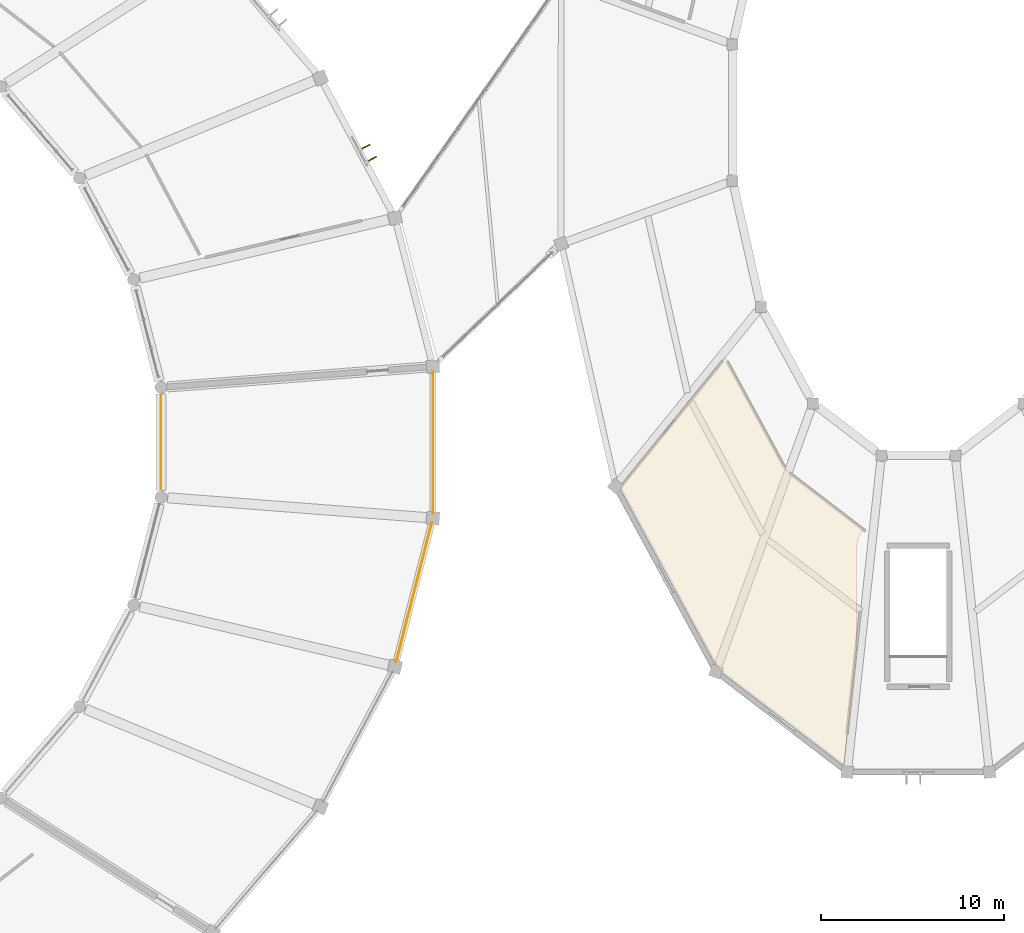
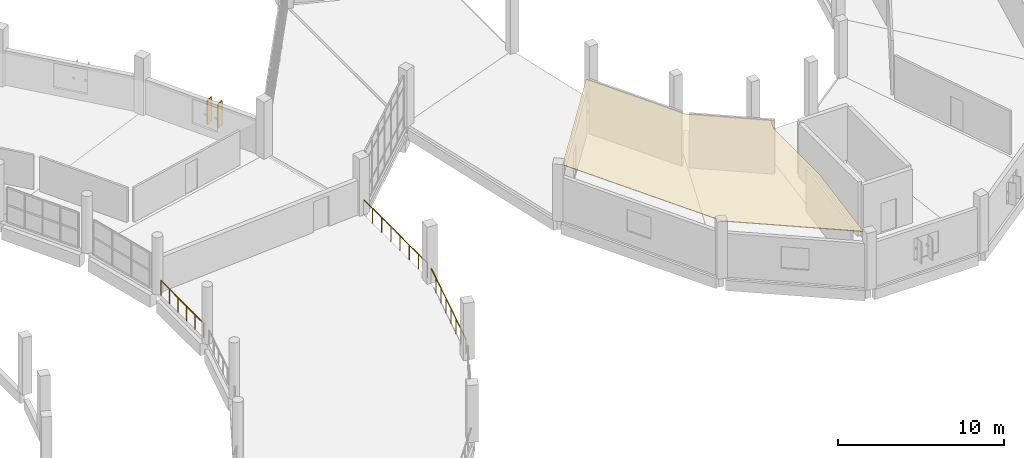
# One storey, part 132 of 142: 3 railings, 2 shading devices, 1 covering.
"""IFC4 building model written with IfcOpenShell, lengths in metres."""

from ifc_helpers import new_model, si_unit, direction, frame, origin, origin_2d, place, context, subcontext, project, spatial, polyline, rectangle, circle, outline, extrude, material, layer, layer_set, type_object, element, save


model = new_model("IFC4")

# Units and contexts
model_context = context("Model", 3, precision=1e-05, world=origin(), true_north=direction((0.0, 1.0)))
body_context = subcontext(model_context, "Body", "Model", "MODEL_VIEW")
ifc_project = project(units=[si_unit("LENGTHUNIT", "METRE"), si_unit("AREAUNIT", "SQUARE_METRE"), si_unit("VOLUMEUNIT", "CUBIC_METRE"), si_unit("PLANEANGLEUNIT", "RADIAN"), si_unit("MASSUNIT", "GRAM", prefix="KILO")], contexts=[model_context])

# Site, building, storey
site_placement = place(None, origin())
site = spatial("IfcSite", under=ifc_project, at=site_placement, CompositionType="ELEMENT")
building_placement = place(site_placement, origin())
building = spatial("IfcBuilding", under=site, at=building_placement, Name="Corvandel Quay Wholesale Market", CompositionType="ELEMENT")
storey_placement = place(building_placement, frame((0.0, 0.0, 10.800048828125)))
storey = spatial("IfcBuildingStorey", under=building, at=storey_placement, Name="L02", CompositionType="ELEMENT", Elevation=10.800048828125)

# Railings
ifc_material_1 = material(Name="Hot-dip galvanised painted steel", Category="steel")
ifc_layer_1 = layer(ifc_material_1, 0.06005859375)
ifc_layer_set_1 = layer_set([ifc_layer_1], Name="Hot-dip galvanised painted steel")
railing_type = type_object("IfcRailingType", Name="Galvanised Steel Guard Balustrade GR01 1100mm", PredefinedType="BALUSTRADE", material=ifc_layer_set_1)
railing_1_placement = place(storey_placement, frame((165.991943359375, 30.010986328125, 0.0)))
element("IfcRailing", 1, at=railing_1_placement, inside=storey, type_object=railing_type, Name="Produce Terrace Guard GR-0003", PredefinedType="BALUSTRADE", context=body_context, shape_type="SweptSolid", body=[
    extrude(circle(Radius=0.02392578125, at=origin_2d()), frame((0.0, 0.0, 1.076171875), z_axis=(0.24777475221, 0.968817667142, 0.0), x_axis=(-0.968817667142, 0.24777475221, 0.0)), (0.0, 0.0, 1.0), 7.83447265625),
    extrude(circle(Radius=0.02099609375, at=origin_2d()), origin(), (0.0, 0.0, 1.0), 1.052001953125),
    extrude(circle(Radius=0.02099609375, at=origin_2d()), frame((0.27734375, 1.084228515625, 0.0)), (0.0, 0.0, 1.0), 1.052001953125),
    extrude(circle(Radius=0.02099609375, at=origin_2d()), frame((0.5546875, 2.168701171875, 0.0)), (0.0, 0.0, 1.0), 1.052001953125),
    extrude(circle(Radius=0.02099609375, at=origin_2d()), frame((0.83203125, 3.2529296875, 0.0)), (0.0, 0.0, 1.0), 1.052001953125),
    extrude(circle(Radius=0.02099609375, at=origin_2d()), frame((1.109130859375, 4.337158203125, 0.0)), (0.0, 0.0, 1.0), 1.052001953125),
    extrude(circle(Radius=0.02099609375, at=origin_2d()), frame((1.386474609375, 5.42138671875, 0.0)), (0.0, 0.0, 1.0), 1.052001953125),
    extrude(circle(Radius=0.02099609375, at=origin_2d()), frame((1.663818359375, 6.505859375, 0.0)), (0.0, 0.0, 1.0), 1.052001953125),
    extrude(circle(Radius=0.02099609375, at=origin_2d()), frame((1.941162109375, 7.590087890625, 0.0)), (0.0, 0.0, 1.0), 1.052001953125),
])
railing_2_placement = place(storey_placement, frame((168.0, 38.133056640625, 0.0)))
element("IfcRailing", 2, at=railing_2_placement, inside=storey, type_object=railing_type, Name="Produce Terrace Guard GR-0004", PredefinedType="BALUSTRADE", context=body_context, shape_type="SweptSolid", body=[
    extrude(circle(Radius=0.02392578125, at=origin_2d()), frame((0.0, 0.0, 1.076171875), z_axis=(0.0, 1.0, 0.0), x_axis=(-1.0, 0.0, 0.0)), (0.0, 0.0, 1.0), 7.73388671875),
    extrude(circle(Radius=0.02099609375, at=origin_2d()), origin(), (0.0, 0.0, 1.0), 1.052001953125),
    extrude(circle(Radius=0.02099609375, at=origin_2d()), frame((0.0, 1.104736328125, 0.0)), (0.0, 0.0, 1.0), 1.052001953125),
    extrude(circle(Radius=0.02099609375, at=origin_2d()), frame((0.0, 2.209716796875, 0.0)), (0.0, 0.0, 1.0), 1.052001953125),
    extrude(circle(Radius=0.02099609375, at=origin_2d()), frame((0.0, 3.314453125, 0.0)), (0.0, 0.0, 1.0), 1.052001953125),
    extrude(circle(Radius=0.02099609375, at=origin_2d()), frame((0.0, 4.41943359375, 0.0)), (0.0, 0.0, 1.0), 1.052001953125),
    extrude(circle(Radius=0.02099609375, at=origin_2d()), frame((0.0, 5.524169921875, 0.0)), (0.0, 0.0, 1.0), 1.052001953125),
    extrude(circle(Radius=0.02099609375, at=origin_2d()), frame((0.0, 6.629150390625, 0.0)), (0.0, 0.0, 1.0), 1.052001953125),
    extrude(circle(Radius=0.02099609375, at=origin_2d()), frame((0.0, 7.73388671875, 0.0)), (0.0, 0.0, 1.0), 1.052001953125),
])
railing_3_placement = place(storey_placement, frame((153.14990234375, 39.4208984375, 0.0)))
element("IfcRailing", 3, at=railing_3_placement, inside=storey, type_object=railing_type, Name="Terrace Inner Guard GR-0008", PredefinedType="BALUSTRADE", context=body_context, shape_type="SweptSolid", body=[
    extrude(circle(Radius=0.02392578125, at=origin_2d()), frame((0.0, 0.0, 1.076171875), z_axis=(0.0, 1.0, 0.0), x_axis=(-1.0, 0.0, 0.0)), (0.0, 0.0, 1.0), 5.158203125),
    extrude(circle(Radius=0.02099609375, at=origin_2d()), origin(), (0.0, 0.0, 1.0), 1.052001953125),
    extrude(circle(Radius=0.02099609375, at=origin_2d()), frame((0.0, 1.03173828125, 0.0)), (0.0, 0.0, 1.0), 1.052001953125),
    extrude(circle(Radius=0.02099609375, at=origin_2d()), frame((0.0, 2.063232421875, 0.0)), (0.0, 0.0, 1.0), 1.052001953125),
    extrude(circle(Radius=0.02099609375, at=origin_2d()), frame((0.0, 3.094970703125, 0.0)), (0.0, 0.0, 1.0), 1.052001953125),
    extrude(circle(Radius=0.02099609375, at=origin_2d()), frame((0.0, 4.12646484375, 0.0)), (0.0, 0.0, 1.0), 1.052001953125),
    extrude(circle(Radius=0.02099609375, at=origin_2d()), frame((0.0, 5.158203125, 0.0)), (0.0, 0.0, 1.0), 1.052001953125),
])

# Covering
ifc_material_2 = material(Name="Perforated powder-coated aluminium acoustic panel", Category="aluminium")
ifc_layer_2 = layer(ifc_material_2, 0.044921875)
ifc_layer_set_2 = layer_set([ifc_layer_2], Name="Perforated powder-coated aluminium acoustic panel")
covering_type = type_object("IfcCoveringType", Name="Perforated Acoustic Baffle Ceiling CLG01", PredefinedType="CEILING", material=ifc_layer_set_2)
covering_placement = place(storey_placement, frame((0.0, 0.0, 3.829833984375)))
element("IfcCovering", 4, at=covering_placement, inside=storey, type_object=covering_type, Name="Suspended Ceiling CLG-022", PredefinedType="CEILING", context=body_context, shape_type="SweptSolid", body=[
    extrude(outline(polyline([(190.447998046875, 24.446044921875), (190.447021484375, 24.444091796875), (190.446044921875, 24.44189453125), (190.446044921875, 24.44091796875), (190.445068359375, 24.43896484375), (190.443115234375, 24.43701171875), (190.44189453125, 24.43603515625), (190.44091796875, 24.43505859375), (190.43896484375, 24.43310546875), (190.43798828125, 24.431884765625), (190.43603515625, 24.431884765625), (190.43408203125, 24.430908203125), (190.431884765625, 24.429931640625), (190.429931640625, 24.429931640625), (190.427978515625, 24.429931640625), (190.426025390625, 24.429931640625), (190.425048828125, 24.429931640625), (190.423095703125, 24.430908203125), (190.4208984375, 24.430908203125), (190.4189453125, 24.431884765625), (190.4169921875, 24.43310546875), (190.416015625, 24.43408203125), (183.62890625, 29.6240234375), (183.626953125, 29.625), (183.6259765625, 29.626953125), (183.625, 29.62890625), (183.623046875, 29.6298828125), (178.238037109375, 39.571044921875), (178.238037109375, 39.572998046875), (178.237060546875, 39.574951171875), (178.236083984375, 39.576904296875), (178.236083984375, 39.5791015625), (178.236083984375, 39.5810546875), (178.236083984375, 39.5830078125), (178.236083984375, 39.5849609375), (178.237060546875, 39.5869140625), (178.237060546875, 39.589111328125), (178.238037109375, 39.590087890625), (178.239013671875, 39.592041015625), (178.239990234375, 39.593994140625), (183.944091796875, 46.6298828125), (183.946044921875, 46.631103515625), (183.947021484375, 46.632080078125), (183.948974609375, 46.634033203125), (183.949951171875, 46.635009765625), (183.951904296875, 46.635009765625), (183.9541015625, 46.635986328125), (183.9560546875, 46.636962890625), (183.9580078125, 46.636962890625), (183.9599609375, 46.636962890625), (183.9619140625, 46.636962890625), (183.964111328125, 46.636962890625), (183.966064453125, 46.635986328125), (183.968017578125, 46.635986328125), (183.968994140625, 46.635009765625), (183.970947265625, 46.634033203125), (183.972900390625, 46.633056640625), (183.97412109375, 46.631103515625), (183.97509765625, 46.6298828125), (183.97705078125, 46.6279296875), (183.97802734375, 46.626953125), (187.31494140625, 40.47412109375), (191.501953125, 37.264892578125), (191.452880859375, 37.199951171875), (191.363037109375, 37.049072265625), (191.287109375, 36.888916015625), (191.22802734375, 36.722900390625), (191.18505859375, 36.551025390625), (191.158935546875, 36.3759765625), (191.14990234375, 36.199951171875), (191.14990234375, 30.962890625), (190.447998046875, 24.447998046875), (190.447998046875, 24.446044921875)])), origin(), (0.0, 0.0, 1.0), 0.045166015625),
])

# Shading devices
ifc_material_3 = material(Name="Bronze anodised extruded aluminium 6063-T6", Category="aluminium")
shading_device_type = type_object("IfcShadingDeviceType", Name="Vertical Anodised Bronze Solar Fin FN01 480mm", PredefinedType="JALOUSIE", material=ifc_material_3)
for number, where, z_axis, x_axis, name in (
    (5, (164.700927734375, 57.485107421875, 0.5498046875), (0.0, 0.0, 1.0), (0.882619624736, 0.470087862033, 0.0), "Solar Fin 0013"),
    (6, (164.348388671875, 58.147216796875, 0.5498046875), (0.0, 0.0, 1.0), (0.882619624736, 0.470087862033, 0.0), "Solar Fin 0014"),
):
    element("IfcShadingDevice", number, at=place(storey_placement, frame(where, z_axis=z_axis, x_axis=x_axis)), inside=storey, type_object=shading_device_type, Name=name, PredefinedType="JALOUSIE", context=body_context, shape_type="SweptSolid", body=[
        extrude(rectangle(XDim=0.47998046875, YDim=0.06494140625, at=origin_2d()), origin(), (0.0, 0.0, 1.0), 1.800048828125),
    ])

save(model, "model.ifc")
